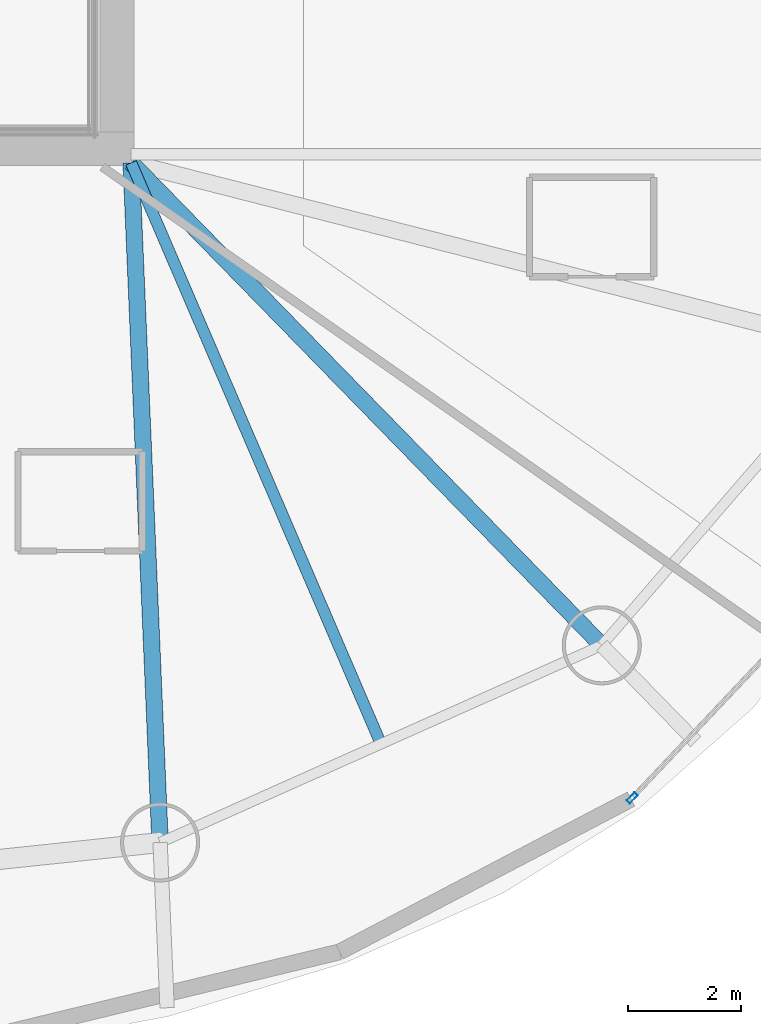
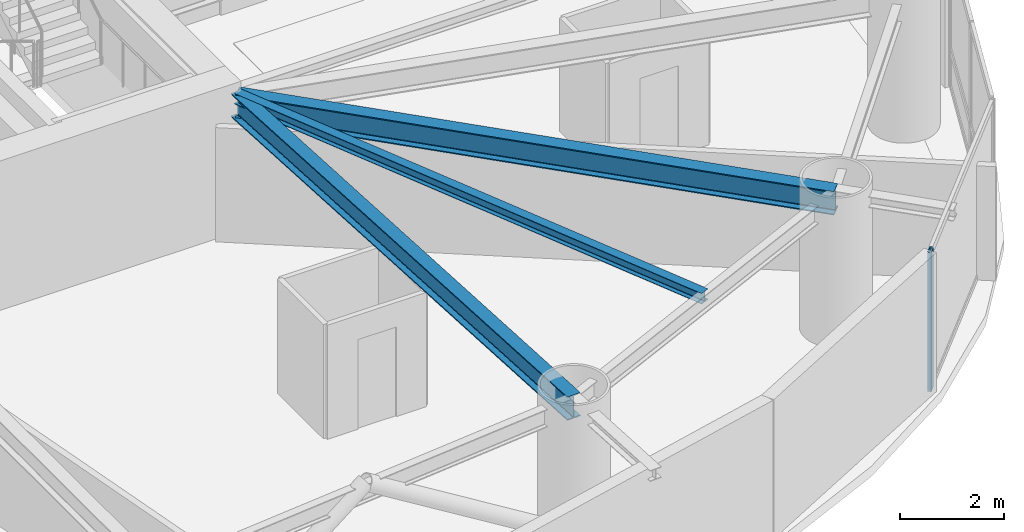
# One storey, part 9 of 23: 3 beams, 1 member, 1 element without a shape of its own.
"""IFC4 building model written with IfcOpenShell, lengths in metres."""

from ifc_helpers import new_model, si_unit, direction, frame, origin, origin_2d, place, context, subcontext, project, spatial, hollow_rectangle, i_section, extrude, material, layer, layer_set, material_profile, profile_set, type_object, element, aggregate, save


model = new_model("IFC4")

# Units and contexts
model_context = context("Model", 3, precision=1e-05, world=origin(), true_north=direction((0.0, 1.0)))
body_context = subcontext(model_context, "Body", "Model", "MODEL_VIEW")
ifc_project = project(units=[si_unit("LENGTHUNIT", "METRE"), si_unit("AREAUNIT", "SQUARE_METRE"), si_unit("VOLUMEUNIT", "CUBIC_METRE"), si_unit("PLANEANGLEUNIT", "RADIAN"), si_unit("MASSUNIT", "GRAM", prefix="KILO")], contexts=[model_context])

# Site, building, storey
site_placement = place(None, origin())
site = spatial("IfcSite", under=ifc_project, at=site_placement, CompositionType="ELEMENT")
building_placement = place(site_placement, origin())
building = spatial("IfcBuilding", under=site, at=building_placement, Name="Bramvorn Convention Spire", CompositionType="ELEMENT")
storey_placement = place(building_placement, frame((0.0, 0.0, 158.800048828125)))
storey = spatial("IfcBuildingStorey", under=building, at=storey_placement, Name="L40", CompositionType="ELEMENT", Elevation=158.800048828125)

# Beams
ifc_material_1 = material(Name="Steel CSA G40.21 Grade 350 (350W)", Category="steel")
ifc_material_profile_1 = material_profile(ifc_material_1, i_section(OverallWidth=0.201904296875, OverallDepth=0.2470703125, WebThickness=0.00732421875, FlangeThickness=0.010986328125, FilletRadius=0.011962890625, at=origin_2d()))
ifc_profile_set_1 = profile_set([ifc_material_profile_1], Name="Steel CSA G40.21 Grade 350 (350W) - W250X49")
beam_type_1 = type_object("IfcBeamType", Name="BM-W250X49", PredefinedType="JOIST", material=ifc_profile_set_1)
beam_1_placement = place(storey_placement, frame((49.25, 18.550048828125, 3.136474609375), z_axis=(0.394937739893, -0.918707886985, 0.0), x_axis=(0.918707886985, 0.394937739893, 0.0)))
element("IfcBeam", 1, at=beam_1_placement, inside=storey, type_object=beam_type_1, Name="L40 composite floor joist 15", PredefinedType="JOIST", context=body_context, shape_type="SweptSolid", body=[
    extrude(i_section(OverallWidth=0.201904296875, OverallDepth=0.2470703125, WebThickness=0.00732421875, FlangeThickness=0.010986328125, FilletRadius=0.011962890625, at=origin_2d()), origin(), (0.0, 0.0, 1.0), 11.19384765625),
])
ifc_material_profile_2 = material_profile(ifc_material_1, i_section(OverallWidth=0.2919921875, OverallDepth=0.551025390625, WebThickness=0.01513671875, FlangeThickness=0.0244140625, FilletRadius=0.01904296875, at=origin_2d()))
ifc_profile_set_2 = profile_set([ifc_material_profile_2], Name="Steel CSA G40.21 Grade 350 (350W) - W530X182")
beam_type_2 = type_object("IfcBeamType", Name="BM-W530X182", PredefinedType="BEAM", material=ifc_profile_set_2)
beam_2_placement = place(storey_placement, frame((49.25, 18.550048828125, 2.984375), z_axis=(0.042502657955, -0.999096353745, 0.0), x_axis=(0.999096353745, 0.042502657955, 0.0)))
element("IfcBeam", 2, at=beam_2_placement, inside=storey, type_object=beam_type_2, Name="L40 radial floor girder MC15", PredefinedType="BEAM", context=body_context, shape_type="SweptSolid", body=[
    extrude(i_section(OverallWidth=0.2919921875, OverallDepth=0.551025390625, WebThickness=0.01513671875, FlangeThickness=0.0244140625, FilletRadius=0.01904296875, at=origin_2d()), origin(), (0.0, 0.0, 1.0), 12.039794921875),
])
beam_3_placement = place(storey_placement, frame((49.25, 18.550048828125, 2.984375), z_axis=(0.698272445638, -0.715832097397, 0.0), x_axis=(0.715832097397, 0.698272445638, 0.0)))
element("IfcBeam", 3, at=beam_3_placement, inside=storey, type_object=beam_type_2, Name="L40 radial floor girder MC16", PredefinedType="BEAM", context=body_context, shape_type="SweptSolid", body=[
    extrude(i_section(OverallWidth=0.2919921875, OverallDepth=0.551025390625, WebThickness=0.01513671875, FlangeThickness=0.0244140625, FilletRadius=0.01904296875, at=origin_2d()), origin(), (0.0, 0.0, 1.0), 11.92919921875),
])

# Curtain wall, member
ifc_material_2 = material(Name="Anodised Bronze Unitised Curtain Wall", Category="aluminium")
ifc_layer = layer(ifc_material_2, 0.179931640625)
ifc_layer_set = layer_set([ifc_layer], Name="Anodised Bronze Unitised Curtain Wall - CW-HTL-FRIT")
curtain_wall_type = type_object("IfcCurtainWallType", Name="CW-HTL-FRIT", PredefinedType="USERDEFINED", material=ifc_layer_set)
curtain_wall_placement = place(storey_placement, origin())
curtain_wall = element("IfcCurtainWall", 4, at=curtain_wall_placement, inside=storey, type_object=curtain_wall_type, Name="L40 fritted glass curtain wall 24", ObjectType="UNITISED CURTAIN WALL", PredefinedType="USERDEFINED")
ifc_material_3 = material(Name="Anodised Bronze Aluminium 6063-T6", Category="aluminium")
ifc_material_profile_3 = material_profile(ifc_material_3, hollow_rectangle(XDim=0.080078125, YDim=0.199951171875, WallThickness=0.00390625, InnerFilletRadius=0.0009765625, OuterFilletRadius=0.00390625, at=origin_2d()))
ifc_profile_set_3 = profile_set([ifc_material_profile_3], Name="Anodised Bronze Aluminium 6063-T6 - CWM80X200")
member_type = type_object("IfcMemberType", Name="CW-MUL-180", PredefinedType="MULLION", material=ifc_profile_set_3)
member_placement = place(storey_placement, frame((58.1171875, 7.309814453125, 0.0), z_axis=(0.0, 0.0, 1.0), x_axis=(0.726826608795, -0.686820996147, 0.0)))
member = element("IfcMember", 5, at=member_placement, type_object=member_type, Name="CW2 mullion 2", PredefinedType="MULLION", context=body_context, shape_type="SweptSolid", body=[
    extrude(hollow_rectangle(XDim=0.080078125, YDim=0.199951171875, WallThickness=0.00390625, InnerFilletRadius=0.0009765625, OuterFilletRadius=0.00390625, at=origin_2d()), origin(), (0.0, 0.0, 1.0), 3.260009765625),
])
aggregate(curtain_wall, [member])

save(model, "model.ifc")
